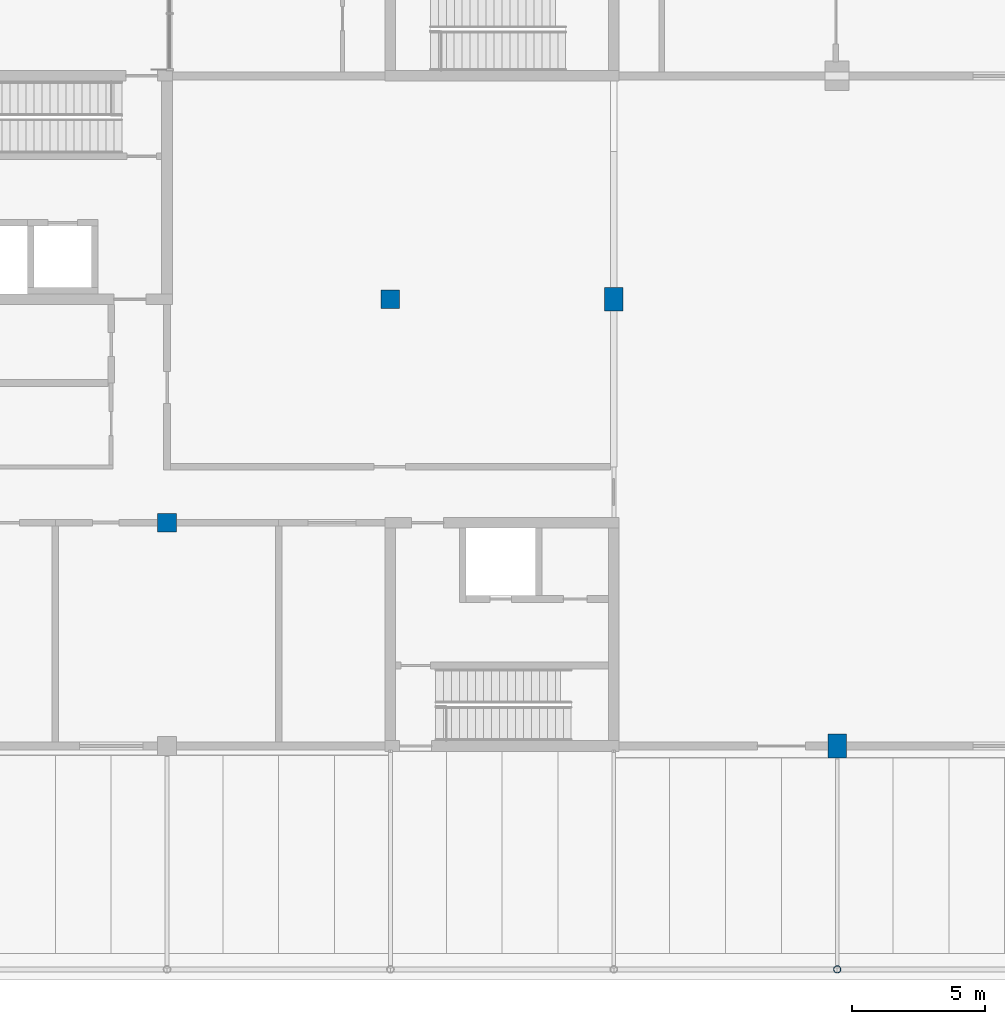
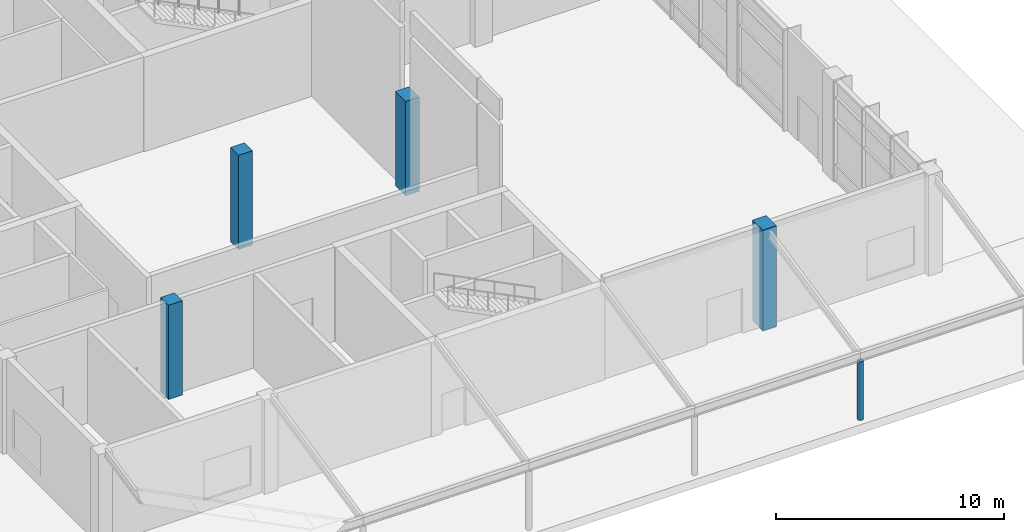
# One storey, part 6 of 76: 5 columns.
"""IFC4 building model written with IfcOpenShell, lengths in metres."""

import ifcopenshell
import ifcopenshell.guid

model = None  # the IFC model being written
_history = None  # IfcOwnerHistory: only IFC2X3 demands one
_inside = {}  # id of a spatial element -> (the spatial element, [elements in it])
_under = {}  # id of a project, library or spatial element -> (it, [spatial elements below it])
_declared = {}  # id of a project -> (the project, [libraries it declares])
_typed = {}  # id of a type object -> (the type object, [elements of that type])
_made_of = {}  # id of a material, layer set ... -> (it, [elements and type objects made of it])


def new_model(schema):
    """Start an empty IFC model of exactly this schema.

    Asked for "IFC4X3", IfcOpenShell would pick the latest addendum, in which some entities
    have other attributes; the version numbers below select the first issue.
    IFC2X3 requires an IfcOwnerHistory on every rooted entity: one is made here for all.
    """
    global model, _history
    if schema == "IFC4X3":
        model = ifcopenshell.file(schema_version=(4, 3, 0, 0))
    else:
        model = ifcopenshell.file(schema=schema)
    _inside.clear()
    _under.clear()
    _declared.clear()
    _typed.clear()
    _made_of.clear()
    _history = None
    if model.schema == "IFC2X3":
        org = make("IfcOrganization", Name="unknown")
        user = make(
            "IfcPersonAndOrganization",
            ThePerson=make("IfcPerson", FamilyName="unknown"),
            TheOrganization=org,
        )
        app = make(
            "IfcApplication",
            ApplicationDeveloper=org,
            Version="unknown",
            ApplicationFullName="unknown",
            ApplicationIdentifier="unknown",
        )
        _history = make(
            "IfcOwnerHistory",
            OwningUser=user,
            OwningApplication=app,
            ChangeAction="ADDED",
            CreationDate=0,
        )
    return model


def make(cls, **values):
    """One entity of the class cls with the attributes given. An attribute that is None is left unset."""
    return model.create_entity(
        cls, **{name: value for name, value in values.items() if value is not None}
    )


def rooted(cls, **values):
    """An entity with a GlobalId (a new one), such as an element, a storey or a relation."""
    return make(cls, GlobalId=ifcopenshell.guid.new(), OwnerHistory=_history, **values)


def si_unit(unit_type, name, prefix=None):
    """IfcSIUnit, for example si_unit("LENGTHUNIT", "METRE", prefix="MILLI")."""
    return make("IfcSIUnit", UnitType=unit_type, Prefix=prefix, Name=name)


def assignment(units):
    """IfcUnitAssignment: the units of a project."""
    return None if units is None else make("IfcUnitAssignment", Units=units)


def point(xyz):
    """IfcCartesianPoint."""
    return None if xyz is None else make("IfcCartesianPoint", Coordinates=xyz)


def direction(xyz):
    """IfcDirection."""
    return None if xyz is None else make("IfcDirection", DirectionRatios=xyz)


def frame(location, z_axis=None, x_axis=None):
    """IfcAxis2Placement3D, a coordinate frame: its origin and axes. An axis left out is left unset."""
    return make(
        "IfcAxis2Placement3D",
        Location=point(location),
        Axis=direction(z_axis),
        RefDirection=direction(x_axis),
    )


def frame_2d(location, x_axis=None):
    """IfcAxis2Placement2D, a coordinate frame in the plane: its origin and x axis."""
    return make(
        "IfcAxis2Placement2D", Location=point(location), RefDirection=direction(x_axis)
    )


def origin():
    """The frame at (0, 0, 0) with its axes left unset."""
    return frame((0.0, 0.0, 0.0))


def origin_2d():
    """The frame at (0, 0) in the plane with its x axis left unset."""
    return frame_2d((0.0, 0.0))


def place(relative_to, where):
    """IfcLocalPlacement: puts the frame where relative to a parent placement (None: the world)."""
    return make(
        "IfcLocalPlacement", PlacementRelTo=relative_to, RelativePlacement=where
    )


def context(
    kind, dimensions, precision=None, world=None, true_north=None, identifier=None
):
    """IfcGeometricRepresentationContext, for example the 3D "Model" context."""
    return make(
        "IfcGeometricRepresentationContext",
        ContextIdentifier=identifier,
        ContextType=kind,
        CoordinateSpaceDimension=dimensions,
        Precision=precision,
        WorldCoordinateSystem=world,
        TrueNorth=true_north,
    )


def subcontext(parent, identifier, kind, view, scale=None):
    """IfcGeometricRepresentationSubContext, for example "Body" below "Model"."""
    return make(
        "IfcGeometricRepresentationSubContext",
        ContextIdentifier=identifier,
        ContextType=kind,
        ParentContext=parent,
        TargetScale=scale,
        TargetView=view,
    )


def project(units=None, contexts=None):
    """IfcProject with its units and contexts."""
    return rooted(
        "IfcProject",
        Name="project",
        RepresentationContexts=contexts,
        UnitsInContext=assignment(units),
    )


def spatial(cls, under=None, at=None, **own):
    """A site, building, storey or space (cls), placed at a placement, below another one or the project."""
    s = rooted(cls, ObjectPlacement=at, **own)
    if under is not None:
        _under.setdefault(under.id(), (under, []))[1].append(s)
    return s


def profile(cls, at=None, kind="AREA", **sizes):
    """A parametric profile (cls). Its sizes go by their IFC names, for example OverallWidth=200.0."""
    return make(cls, ProfileType=kind, Position=at, **sizes)


def rectangle(**sizes):
    """IfcRectangleProfileDef."""
    return profile("IfcRectangleProfileDef", **sizes)


def hollow_circle(**sizes):
    """IfcCircleHollowProfileDef."""
    return profile("IfcCircleHollowProfileDef", **sizes)


def extrude(swept, where, along, depth):
    """IfcExtrudedAreaSolid: the profile swept, set in the frame where, extruded along a direction by depth."""
    return make(
        "IfcExtrudedAreaSolid",
        SweptArea=swept,
        Position=where,
        ExtrudedDirection=direction(along),
        Depth=depth,
    )


def shape(context_of_items, identifier, shape_type, items):
    """IfcShapeRepresentation: the items that make up one representation, for example the "Body"."""
    return make(
        "IfcShapeRepresentation",
        ContextOfItems=context_of_items,
        RepresentationIdentifier=identifier,
        RepresentationType=shape_type,
        Items=items,
    )


def material(Name=None, Category=None):
    """IfcMaterial."""
    return make("IfcMaterial", Name=Name, Category=Category)


def material_profile(
    of_material, cross_section, Name=None, Category=None, Priority=None
):
    """IfcMaterialProfile: a cross section and its material."""
    return make(
        "IfcMaterialProfile",
        Name=Name,
        Material=of_material,
        Profile=cross_section,
        Priority=Priority,
        Category=Category,
    )


def profile_set(profiles, Name=None, composite=None):
    """IfcMaterialProfileSet."""
    return make(
        "IfcMaterialProfileSet",
        Name=Name,
        MaterialProfiles=profiles,
        CompositeProfile=composite,
    )


def made_of(thing, what):
    """Note that an element or type object is made of a material, layer set ...; save() writes the relation."""
    if what is not None:
        _made_of.setdefault(what.id(), (what, []))[1].append(thing)
    return thing


def type_object(cls, material=None, **own):
    """A type object (cls), such as IfcWallType, which elements share."""
    return made_of(rooted(cls, **own), material)


def element(
    cls,
    number,
    at=None,
    inside=None,
    cuts=None,
    type_object=None,
    material=None,
    context=None,
    identifier="Body",
    shape_type=None,
    held_by="IfcProductDefinitionShape",
    body=None,
    shapes=None,
    **own,
):
    """One element of the class cls, such as IfcWall. Its Tag is "e" and its number.

    at: its placement. inside: the storey or other place that contains it. cuts: it is an
    opening in that element (IfcRelVoidsElement). A single representation is given by context,
    identifier, shape_type and body (its items); several are given by shapes. held_by: the class
    of the entity that holds the representations. save() writes the other relations.
    """
    e = rooted(cls, Tag="e%d" % number, ObjectPlacement=at, **own)
    if body is not None:
        shapes = [shape(context, identifier, shape_type, body)]
    if shapes is not None:
        e.Representation = make(held_by, Representations=shapes)
    if inside is not None:
        _inside.setdefault(inside.id(), (inside, []))[1].append(e)
    if cuts is not None:
        rooted(
            "IfcRelVoidsElement", RelatingBuildingElement=cuts, RelatedOpeningElement=e
        )
    if type_object is not None:
        _typed.setdefault(type_object.id(), (type_object, []))[1].append(e)
    return made_of(e, material)


def aggregate(whole, parts):
    """IfcRelAggregates: a whole, such as a stair, and the parts it consists of."""
    return rooted("IfcRelAggregates", RelatingObject=whole, RelatedObjects=parts)


def save(model, path):
    """Write the relations noted so far, then the file.

    IfcRelAggregates (storeys below a building ...), IfcRelContainedInSpatialStructure (elements
    in a storey), IfcRelDefinesByType, IfcRelAssociatesMaterial and IfcRelDeclares: one each for
    every whole, place, type object, material and project.
    """
    for whole, parts in _under.values():
        aggregate(whole, parts)
    for where, things in _inside.values():
        rooted(
            "IfcRelContainedInSpatialStructure",
            RelatedElements=things,
            RelatingStructure=where,
        )
    for kind, things in _typed.values():
        rooted("IfcRelDefinesByType", RelatedObjects=things, RelatingType=kind)
    for what, things in _made_of.values():
        rooted("IfcRelAssociatesMaterial", RelatedObjects=things, RelatingMaterial=what)
    for by, libraries in _declared.values():
        rooted("IfcRelDeclares", RelatingContext=by, RelatedDefinitions=libraries)
    model.write(path)


model = new_model("IFC4")

# Units and contexts
model_context = context("Model", 3, precision=1e-05, world=origin(), true_north=direction((0.0, 1.0)))
body_context = subcontext(model_context, "Body", "Model", "MODEL_VIEW")
ifc_project = project(units=[si_unit("LENGTHUNIT", "METRE"), si_unit("AREAUNIT", "SQUARE_METRE"), si_unit("VOLUMEUNIT", "CUBIC_METRE"), si_unit("PLANEANGLEUNIT", "RADIAN"), si_unit("MASSUNIT", "GRAM", prefix="KILO")], contexts=[model_context])

# Site, building, storey
site_placement = place(None, origin())
site = spatial("IfcSite", under=ifc_project, at=site_placement, CompositionType="ELEMENT")
building_placement = place(site_placement, origin())
building = spatial("IfcBuilding", under=site, at=building_placement, Name="Hlaing Beacon Police Headquarters", CompositionType="ELEMENT")
storey_placement = place(building_placement, origin())
storey = spatial("IfcBuildingStorey", under=building, at=storey_placement, Name="L00", CompositionType="ELEMENT", Elevation=0.0)

# Columns
ifc_material_1 = material(Name="Concrete C50/60", Category="concrete")
ifc_material_profile_1 = material_profile(ifc_material_1, rectangle(XDim=0.699951171875, YDim=0.699951171875, at=origin_2d()), Name="700x700")
ifc_profile_set_1 = profile_set([ifc_material_profile_1], Name="Concrete C50/60")
column_type_1 = type_object("IfcColumnType", Name="RC column 700x700 C50/60", PredefinedType="COLUMN", material=ifc_profile_set_1)
for number, where, z_axis, x_axis, name in (
    (1, (100.800048828125, 16.800048828125, 0.0), (0.0, 0.0, 1.0), (1.0, 0.0, 0.0), "STR-COL-L00-N3"),
    (2, (109.199951171875, 25.199951171875, 0.0), (0.0, 0.0, 1.0), (1.0, 0.0, 0.0), "STR-COL-L00-P4"),
):
    element("IfcColumn", number, at=place(storey_placement, frame(where, z_axis=z_axis, x_axis=x_axis)), inside=storey, type_object=column_type_1, Name=name, PredefinedType="COLUMN", context=body_context, shape_type="SweptSolid", body=[
        extrude(rectangle(XDim=0.699951171875, YDim=0.699951171875, at=origin_2d()), origin(), (0.0, 0.0, 1.0), 5.050048828125),
    ])
ifc_material_2 = material(Name="Concrete C50/60", Category="concrete")
ifc_material_profile_2 = material_profile(ifc_material_2, rectangle(XDim=0.699951171875, YDim=0.89990234375, at=origin_2d()), Name="700x900")
ifc_profile_set_2 = profile_set([ifc_material_profile_2], Name="Concrete C50/60")
column_type_2 = type_object("IfcColumnType", Name="RC column 700x900 C50/60", PredefinedType="COLUMN", material=ifc_profile_set_2)
column_1_placement = place(storey_placement, frame((117.60009765625, 25.199951171875, 0.0), z_axis=(0.0, 0.0, 1.0), x_axis=(1.0, 0.0, 0.0)))
element("IfcColumn", 3, at=column_1_placement, inside=storey, type_object=column_type_2, Name="STR-COL-L00-Q4", PredefinedType="COLUMN", context=body_context, shape_type="SweptSolid", body=[
    extrude(rectangle(XDim=0.699951171875, YDim=0.89990234375, at=origin_2d()), origin(), (0.0, 0.0, 1.0), 5.050048828125),
])
column_2_placement = place(storey_placement, frame((126.0, 8.39990234375, 0.0), z_axis=(0.0, 0.0, 1.0), x_axis=(1.0, 0.0, 0.0)))
element("IfcColumn", 4, at=column_2_placement, inside=storey, type_object=column_type_2, Name="STR-COL-L00-R2", PredefinedType="COLUMN", context=body_context, shape_type="SweptSolid", body=[
    extrude(rectangle(XDim=0.699951171875, YDim=0.89990234375, at=origin_2d()), origin(), (0.0, 0.0, 1.0), 5.39990234375),
])
ifc_material_3 = material(Name="Steel ASTM A500 Grade C", Category="steel")
ifc_material_profile_3 = material_profile(ifc_material_3, hollow_circle(Radius=0.136474609375, WallThickness=0.0126953125, at=origin_2d()), Name="HSS10.750x0.500")
ifc_profile_set_3 = profile_set([ifc_material_profile_3], Name="Steel ASTM A500 Grade C")
column_type_3 = type_object("IfcColumnType", Name="Steel column HSS10.750x0.500", PredefinedType="COLUMN", material=ifc_profile_set_3)
column_3_placement = place(storey_placement, frame((126.0, 0.0, 0.0), z_axis=(0.0, 0.0, 1.0), x_axis=(1.0, 0.0, 0.0)))
element("IfcColumn", 5, at=column_3_placement, inside=storey, type_object=column_type_3, Name="STR-CL-CL2-COL05", PredefinedType="COLUMN", context=body_context, shape_type="SweptSolid", body=[
    extrude(hollow_circle(Radius=0.136474609375, WallThickness=0.0126953125, at=origin_2d()), origin(), (0.0, 0.0, 1.0), 3.142822265625),
])

save(model, "model.ifc")
